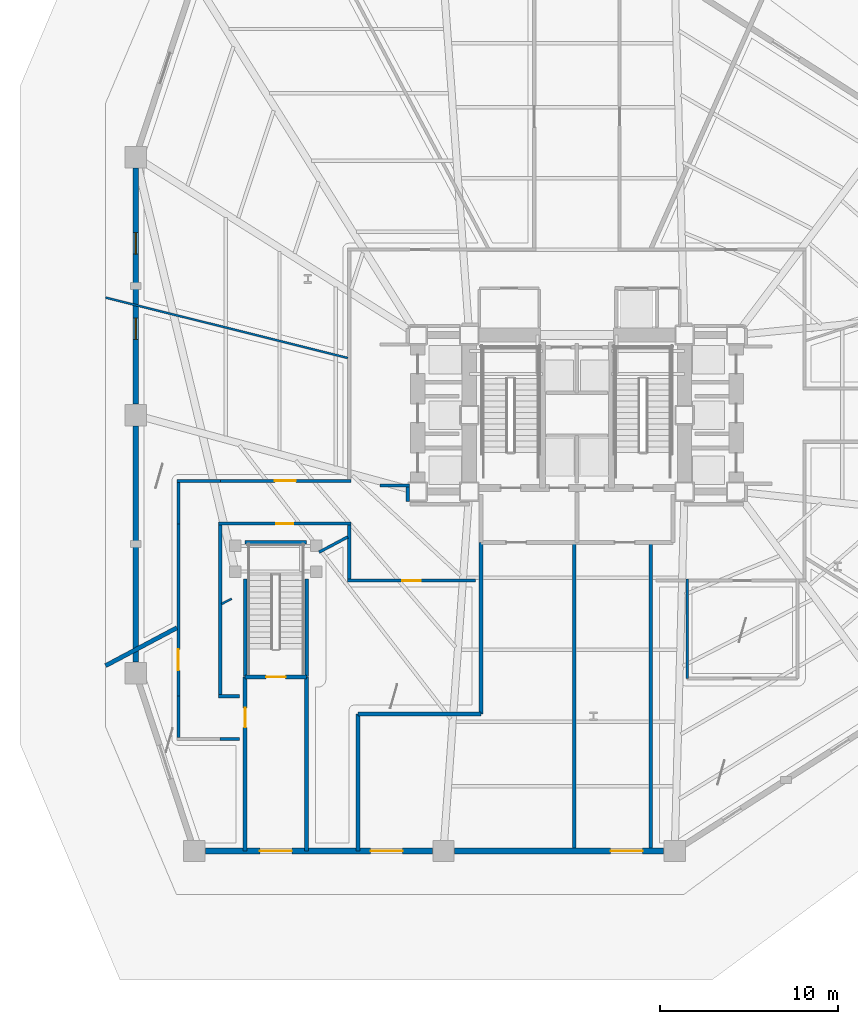
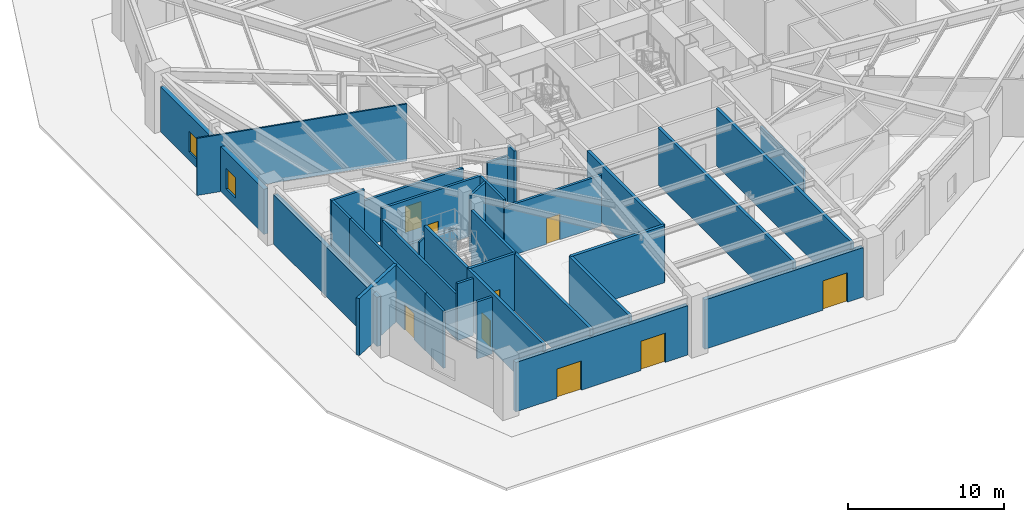
# One storey, part 3 of 10: 33 walls, 9 doors, 2 windows, 11 openings.
"""IFC4 building model written with IfcOpenShell, lengths in metres."""

from ifc_helpers import new_model, si_unit, direction, frame, frame_2d, origin, place, context, subcontext, project, spatial, rectangle, extrude, material, layer, layer_set, type_object, element, fill, save


model = new_model("IFC4")

# Units and contexts
model_context = context("Model", 3, precision=1e-05, world=origin(), true_north=direction((0.0, 1.0)))
body_context = subcontext(model_context, "Body", "Model", "MODEL_VIEW")
ifc_project = project(units=[si_unit("LENGTHUNIT", "METRE"), si_unit("AREAUNIT", "SQUARE_METRE"), si_unit("VOLUMEUNIT", "CUBIC_METRE"), si_unit("PLANEANGLEUNIT", "RADIAN"), si_unit("MASSUNIT", "GRAM", prefix="KILO")], contexts=[model_context])

# Site, building, storey
site_placement = place(None, origin())
site = spatial("IfcSite", under=ifc_project, at=site_placement, CompositionType="ELEMENT")
building_placement = place(site_placement, origin())
building = spatial("IfcBuilding", under=site, at=building_placement, Name="Rocaltana Carrier Exchange", CompositionType="ELEMENT")
storey_placement = place(building_placement, origin())
storey = spatial("IfcBuildingStorey", under=building, at=storey_placement, Name="L01", CompositionType="ELEMENT", Elevation=0.0)

# Walls
ifc_material_1 = material(Name="Double Acoustic Gypsum Partition", Category="gypsum")
ifc_layer_1 = layer(ifc_material_1, 0.159912109375)
ifc_layer_set_1 = layer_set([ifc_layer_1], Name="Double Acoustic Gypsum Partition")
wall_type_1 = type_object("IfcWallType", Name="Acoustic Studio Partition 160 EI60", PredefinedType="PARTITIONING", material=ifc_layer_set_1)
wall_1_placement = place(storey_placement, frame((-12.8798828125, -6.848388671875, 0.0), z_axis=(0.0, 0.0, 1.0), x_axis=(-0.882926709307, -0.469510836928, 0.0)))
element("IfcWall", 1, at=wall_1_placement, inside=storey, type_object=wall_type_1, Name="L01 Suite Divider Wall D1", PredefinedType="PARTITIONING", context=body_context, shape_type="SweptSolid", body=[
    extrude(rectangle(XDim=1.823486328125, YDim=0.159912109375, at=frame_2d((0.91162109375, 0.0))), origin(), (0.0, 0.0, 1.0), 4.472900390625),
])
wall_2_placement = place(storey_placement, frame((6.199951171875, -9.219970703125, 0.0), z_axis=(0.0, 0.0, 1.0), x_axis=(0.0, -1.0, 0.0)))
element("IfcWall", 2, at=wall_2_placement, inside=storey, type_object=wall_type_1, Name="L01 Enclosure Partition 1.1", PredefinedType="PARTITIONING", context=body_context, shape_type="SweptSolid", body=[
    extrude(rectangle(XDim=5.580078125, YDim=0.159912109375, at=frame_2d((2.7900390625, 0.0))), origin(), (0.0, 0.0, 1.0), 3.597900390625),
])

# Wall, opening, door
ifc_material_2 = material(Name="Gypsum & Steel Stud Partition", Category="steel")
ifc_layer_2 = layer(ifc_material_2, 0.179931640625)
ifc_layer_set_2 = layer_set([ifc_layer_2], Name="Gypsum & Steel Stud Partition")
wall_type_2 = type_object("IfcWallType", Name="Corridor Fire Partition 180 EI60", PredefinedType="PARTITIONING", material=ifc_layer_set_2)
wall_3_placement = place(storey_placement, frame((-20.070068359375, -3.699951171875, 0.0), z_axis=(0.0, 0.0, 1.0), x_axis=(1.0, 0.0, 0.0)))
wall_3 = element("IfcWall", 3, at=wall_3_placement, inside=storey, type_object=wall_type_2, Name="L01 Corridor Partition 1", PredefinedType="PARTITIONING", context=body_context, shape_type="SweptSolid", body=[
    extrude(rectangle(XDim=7.360107421875, YDim=0.179931640625, at=frame_2d((3.68017578125, 0.0))), origin(), (0.0, 0.0, 1.0), 3.597900390625),
])
opening_1_placement = place(wall_3_placement, frame((3.090087890625, 0.0, 0.0)))
opening_1 = element("IfcOpeningElement", 4, at=opening_1_placement, cuts=wall_3, Name="Opening D-SU120", PredefinedType="OPENING", context=body_context, shape_type="SweptSolid", body=[
    extrude(rectangle(XDim=1.179931640625, YDim=2.02001953125, at=frame_2d((0.58984375, 1.010009765625))), frame((0.0, 0.099853515625, 0.0), z_axis=(0.0, -1.0, 0.0), x_axis=(1.0, 0.0, 0.0)), (0.0, 0.0, 1.0), 0.199951171875),
])
ifc_material_3 = material(Name="Engineered Hardwood Timber", Category="wood")
door_type_1 = type_object("IfcDoorType", Name="Suite Double Entrance Door 1180x2020", OperationType="NOTDEFINED", PredefinedType="DOOR", material=ifc_material_3)
door_1_placement = place(opening_1_placement, origin())
door_1 = element("IfcDoor", 5, at=door_1_placement, inside=storey, type_object=door_type_1, Name="L01 Carrier Exchange Exhibition Hall Entrance Door", OperationType="SINGLE_SWING_RIGHT", OverallHeight=2.02001953125, OverallWidth=1.179931640625, PredefinedType="DOOR", context=body_context, shape_type="SweptSolid", body=[
    extrude(rectangle(XDim=1.179931640625, YDim=2.02001953125, at=frame_2d((0.58984375, 1.010009765625))), frame((0.0, 0.02490234375, 0.0), z_axis=(0.0, -1.0, 0.0), x_axis=(1.0, 0.0, 0.0)), (0.0, 0.0, 1.0), 0.050048828125),
])
fill(opening_1, door_1)

# Walls
wall_4_placement = place(storey_placement, frame((-11.070068359375, -3.9599609375, 0.0), z_axis=(0.0, 0.0, 1.0), x_axis=(1.0, 0.0, 0.0)))
element("IfcWall", 6, at=wall_4_placement, inside=storey, type_object=wall_type_2, Name="L01 Corridor Partition 27", PredefinedType="PARTITIONING", context=body_context, shape_type="SweptSolid", body=[
    extrude(rectangle(XDim=1.650146484375, YDim=0.179931640625, at=frame_2d((0.8251953125, 0.0))), origin(), (0.0, 0.0, 1.0), 3.597900390625),
])
wall_5_placement = place(storey_placement, frame((-9.510009765625, -4.050048828125, 0.0), z_axis=(0.0, 0.0, 1.0), x_axis=(0.0, -1.0, 0.0)))
element("IfcWall", 7, at=wall_5_placement, inside=storey, type_object=wall_type_2, Name="L01 Corridor Partition 28", PredefinedType="PARTITIONING", context=body_context, shape_type="SweptSolid", body=[
    extrude(rectangle(XDim=0.820068359375, YDim=0.179931640625, at=frame_2d((0.41015625, 0.0))), origin(), (0.0, 0.0, 1.0), 4.472900390625),
])

# Wall, opening, door
wall_6_placement = place(storey_placement, frame((-5.699951171875, -9.300048828125, 0.0), z_axis=(0.0, 0.0, 1.0), x_axis=(-1.0, 0.0, 0.0)))
wall_6 = element("IfcWall", 8, at=wall_6_placement, inside=storey, type_object=wall_type_2, Name="L01 Corridor Partition 31", PredefinedType="PARTITIONING", context=body_context, shape_type="SweptSolid", body=[
    extrude(rectangle(XDim=7.18994140625, YDim=0.179931640625, at=frame_2d((3.594970703125, 0.0))), origin(), (0.0, 0.0, 1.0), 3.987060546875),
])
opening_2_placement = place(wall_6_placement, frame((3.0849609375, 0.0, 0.0)))
opening_2 = element("IfcOpeningElement", 9, at=opening_2_placement, cuts=wall_6, Name="Opening D-LB104", PredefinedType="OPENING", context=body_context, shape_type="SweptSolid", body=[
    extrude(rectangle(XDim=1.02001953125, YDim=2.02001953125, at=frame_2d((0.510009765625, 1.010009765625))), frame((0.0, 0.099853515625, 0.0), z_axis=(0.0, -1.0, 0.0), x_axis=(1.0, 0.0, 0.0)), (0.0, 0.0, 1.0), 0.199951171875),
])
ifc_material_4 = material(Name="Powder-Coated Aluminium 6063-T6", Category="aluminium")
door_type_2 = type_object("IfcDoorType", Name="Laboratory Acoustic Door 1020x2020", OperationType="NOTDEFINED", PredefinedType="DOOR", material=ifc_material_4)
door_2_placement = place(opening_2_placement, origin())
door_2 = element("IfcDoor", 10, at=door_2_placement, inside=storey, type_object=door_type_2, Name="L01 Optical Switching Laboratory Entrance Door", OperationType="SINGLE_SWING_LEFT", OverallHeight=2.02001953125, OverallWidth=1.02001953125, PredefinedType="DOOR", context=body_context, shape_type="SweptSolid", body=[
    extrude(rectangle(XDim=1.02001953125, YDim=2.02001953125, at=frame_2d((0.510009765625, 1.010009765625))), frame((0.0, 0.02490234375, 0.0), z_axis=(0.0, -1.0, 0.0), x_axis=(1.0, 0.0, 0.0)), (0.0, 0.0, 1.0), 0.050048828125),
])
fill(opening_2, door_2)

# Wall
wall_7_placement = place(storey_placement, frame((-12.800048828125, -9.2099609375, 0.0), z_axis=(0.0, 0.0, 1.0), x_axis=(0.0, 1.0, 0.0)))
element("IfcWall", 11, at=wall_7_placement, inside=storey, type_object=wall_type_2, Name="L01 Corridor Partition 32", PredefinedType="PARTITIONING", context=body_context, shape_type="SweptSolid", body=[
    extrude(rectangle(XDim=3.02001953125, YDim=0.179931640625, at=frame_2d((1.510009765625, 0.0))), origin(), (0.0, 0.0, 1.0), 4.472900390625),
])

# Wall, opening, door
wall_8_placement = place(storey_placement, frame((-12.7099609375, -6.10009765625, 0.0), z_axis=(0.0, 0.0, 1.0), x_axis=(-1.0, 0.0, 0.0)))
wall_8 = element("IfcWall", 12, at=wall_8_placement, inside=storey, type_object=wall_type_2, Name="L01 Corridor Partition 33", PredefinedType="PARTITIONING", context=body_context, shape_type="SweptSolid", body=[
    extrude(rectangle(XDim=7.429931640625, YDim=0.179931640625, at=frame_2d((3.71484375, 0.0))), origin(), (0.0, 0.0, 1.0), 4.472900390625),
])
opening_3_placement = place(wall_8_placement, frame((3.235107421875, 0.0, 0.0)))
opening_3 = element("IfcOpeningElement", 13, at=opening_3_placement, cuts=wall_8, Name="Opening D-RM098", PredefinedType="OPENING", context=body_context, shape_type="SweptSolid", body=[
    extrude(rectangle(XDim=0.9599609375, YDim=2.02001953125, at=frame_2d((0.47998046875, 1.010009765625))), frame((0.0, 0.099853515625, 0.0), z_axis=(0.0, -1.0, 0.0), x_axis=(1.0, 0.0, 0.0)), (0.0, 0.0, 1.0), 0.199951171875),
])
ifc_material_5 = material(Name="Engineered Hardwood Timber", Category="wood")
door_type_3 = type_object("IfcDoorType", Name="Workspace Single Door 960x2020", OperationType="NOTDEFINED", PredefinedType="DOOR", material=ifc_material_5)
door_3_placement = place(opening_3_placement, origin())
door_3 = element("IfcDoor", 14, at=door_3_placement, inside=storey, type_object=door_type_3, Name="L01 Client Reception Foyer Entrance Door", OperationType="SINGLE_SWING_LEFT", OverallHeight=2.02001953125, OverallWidth=0.9599609375, PredefinedType="DOOR", context=body_context, shape_type="SweptSolid", body=[
    extrude(rectangle(XDim=0.9599609375, YDim=2.02001953125, at=frame_2d((0.47998046875, 1.010009765625))), frame((0.0, 0.02490234375, 0.0), z_axis=(0.0, -1.0, 0.0), x_axis=(1.0, 0.0, 0.0)), (0.0, 0.0, 1.0), 0.050048828125),
])
fill(opening_3, door_3)

# Walls
wall_9_placement = place(storey_placement, frame((-20.050048828125, -6.18994140625, 0.0), z_axis=(0.0, 0.0, 1.0), x_axis=(0.0, -1.0, 0.0)))
element("IfcWall", 15, at=wall_9_placement, inside=storey, type_object=wall_type_2, Name="L01 Corridor Partition 34", PredefinedType="PARTITIONING", context=body_context, shape_type="SweptSolid", body=[
    extrude(rectangle(XDim=9.52001953125, YDim=0.179931640625, at=frame_2d((4.760009765625, 0.0))), origin(), (0.0, 0.0, 1.0), 3.52587890625),
])
wall_10_placement = place(storey_placement, frame((-20.139892578125, -15.800048828125, 0.0), z_axis=(0.0, 0.0, 1.0), x_axis=(1.0, 0.0, 0.0)))
element("IfcWall", 16, at=wall_10_placement, inside=storey, type_object=wall_type_2, Name="L01 Corridor Partition 35", PredefinedType="PARTITIONING", context=body_context, shape_type="SweptSolid", body=[
    extrude(rectangle(XDim=1.18994140625, YDim=0.179931640625, at=frame_2d((0.594970703125, 0.0))), origin(), (0.0, 0.0, 1.0), 4.472900390625),
])
wall_11_placement = place(storey_placement, frame((-18.949951171875, -18.199951171875, 0.0), z_axis=(0.0, 0.0, 1.0), x_axis=(-1.0, 0.0, 0.0)))
element("IfcWall", 17, at=wall_11_placement, inside=storey, type_object=wall_type_2, Name="L01 Corridor Partition 36", PredefinedType="PARTITIONING", context=body_context, shape_type="SweptSolid", body=[
    extrude(rectangle(XDim=1.1201171875, YDim=0.179931640625, at=frame_2d((0.56005859375, 0.0))), origin(), (0.0, 0.0, 1.0), 4.472900390625),
])
wall_12_placement = place(storey_placement, frame((-22.39990234375, -18.110107421875, 0.0), z_axis=(0.0, 0.0, 1.0), x_axis=(0.0, 1.0, 0.0)))
element("IfcWall", 18, at=wall_12_placement, inside=storey, type_object=wall_type_2, Name="L01 Corridor Partition 38", PredefinedType="PARTITIONING", context=body_context, shape_type="SweptSolid", body=[
    extrude(rectangle(XDim=2.330078125, YDim=0.179931640625, at=frame_2d((1.1650390625, 0.0))), origin(), (0.0, 0.0, 1.0), 4.472900390625),
])

# Wall, opening, door
wall_13_placement = place(storey_placement, frame((-22.39990234375, -15.820068359375, 0.0), z_axis=(0.0, 0.0, 1.0), x_axis=(0.0, 1.0, 0.0)))
wall_13 = element("IfcWall", 19, at=wall_13_placement, inside=storey, type_object=wall_type_2, Name="L01 Corridor Partition 39", PredefinedType="PARTITIONING", context=body_context, shape_type="SweptSolid", body=[
    extrude(rectangle(XDim=9.739990234375, YDim=0.179931640625, at=frame_2d((4.8701171875, 0.0))), origin(), (0.0, 0.0, 1.0), 4.472900390625),
])
opening_4_placement = place(wall_13_placement, frame((1.468505859375, 0.0, 0.0)))
opening_4 = element("IfcOpeningElement", 20, at=opening_4_placement, cuts=wall_13, Name="Opening D-SU120", PredefinedType="OPENING", context=body_context, shape_type="SweptSolid", body=[
    extrude(rectangle(XDim=1.179931640625, YDim=2.02001953125, at=frame_2d((0.58984375, 1.010009765625))), frame((0.0, 0.099853515625, 0.0), z_axis=(0.0, -1.0, 0.0), x_axis=(1.0, 0.0, 0.0)), (0.0, 0.0, 1.0), 0.199951171875),
])
door_4_placement = place(opening_4_placement, origin())
door_4 = element("IfcDoor", 21, at=door_4_placement, inside=storey, type_object=door_type_1, Name="L01 Data Exchange Hall Entrance Door", OperationType="SINGLE_SWING_RIGHT", OverallHeight=2.02001953125, OverallWidth=1.179931640625, PredefinedType="DOOR", context=body_context, shape_type="SweptSolid", body=[
    extrude(rectangle(XDim=1.179931640625, YDim=2.02001953125, at=frame_2d((0.58984375, 1.010009765625))), frame((0.0, 0.02490234375, 0.0), z_axis=(0.0, -1.0, 0.0), x_axis=(1.0, 0.0, 0.0)), (0.0, 0.0, 1.0), 0.050048828125),
])
fill(opening_4, door_4)

# Walls
wall_14_placement = place(storey_placement, frame((-22.39990234375, -6.1201171875, 0.0), z_axis=(0.0, 0.0, 1.0), x_axis=(0.0, 1.0, 0.0)))
element("IfcWall", 22, at=wall_14_placement, inside=storey, type_object=wall_type_2, Name="L01 Corridor Partition 40", PredefinedType="PARTITIONING", context=body_context, shape_type="SweptSolid", body=[
    extrude(rectangle(XDim=2.330078125, YDim=0.179931640625, at=frame_2d((1.1650390625, 0.0))), origin(), (0.0, 0.0, 1.0), 4.472900390625),
])
wall_15_placement = place(storey_placement, frame((-22.489990234375, -3.699951171875, 0.0), z_axis=(0.0, 0.0, 1.0), x_axis=(1.0, 0.0, 0.0)))
element("IfcWall", 23, at=wall_15_placement, inside=storey, type_object=wall_type_2, Name="L01 Corridor Partition 41", PredefinedType="PARTITIONING", context=body_context, shape_type="SweptSolid", body=[
    extrude(rectangle(XDim=2.4599609375, YDim=0.179931640625, at=frame_2d((1.22998046875, 0.0))), origin(), (0.0, 0.0, 1.0), 4.472900390625),
])
ifc_material_6 = material(Name="Aluminium 6063-T6 & Acoustic Glass", Category="aluminium")
ifc_layer_3 = layer(ifc_material_6, 0.114990234375)
ifc_layer_set_3 = layer_set([ifc_layer_3], Name="Aluminium 6063-T6 & Acoustic Glass")
wall_type_3 = type_object("IfcWallType", Name="Demountable Glazed Lab Partition 115", PredefinedType="MOVABLE", material=ifc_layer_set_3)
wall_16_placement = place(storey_placement, frame((-19.409912109375, -10.320556640625, 0.0), z_axis=(0.0, 0.0, 1.0), x_axis=(-0.883065873803, -0.469249041049, 0.0)))
element("IfcWall", 24, at=wall_16_placement, inside=storey, type_object=wall_type_3, Name="L01 Suite Divider Wall D2", PredefinedType="MOVABLE", context=body_context, shape_type="SweptSolid", body=[
    extrude(rectangle(XDim=0.63427734375, YDim=0.114990234375, at=frame_2d((0.317138671875, 0.0))), origin(), (0.0, 0.0, 1.0), 4.472900390625),
])
wall_17_placement = place(storey_placement, frame((-12.8798828125, 3.211181640625, 0.0), z_axis=(0.0, 0.0, 1.0), x_axis=(-0.97029281794, 0.241933560001, 0.0)))
element("IfcWall", 25, at=wall_17_placement, inside=storey, type_object=wall_type_3, Name="L01 Suite Divider Wall D8", PredefinedType="MOVABLE", context=body_context, shape_type="SweptSolid", body=[
    extrude(rectangle(XDim=14.02685546875, YDim=0.114990234375, at=frame_2d((7.013427734375, 0.0))), origin(), (0.0, 0.0, 1.0), 4.472900390625),
])
ifc_material_7 = material(Name="Autoclaved Aerated Concrete C30/37", Category="concrete")
ifc_layer_4 = layer(ifc_material_7, 0.219970703125)
ifc_layer_set_4 = layer_set([ifc_layer_4], Name="Autoclaved Aerated Concrete C30/37")
wall_type_4 = type_object("IfcWallType", Name="Firefighting Lobby Wall 220 EI120", PredefinedType="PARTITIONING", material=ifc_layer_set_4)
wall_18_placement = place(storey_placement, frame((-5.39990234375, -16.800048828125, 0.0), z_axis=(0.0, 0.0, 1.0), x_axis=(0.0, 1.0, 0.0)))
element("IfcWall", 26, at=wall_18_placement, inside=storey, type_object=wall_type_4, Name="L01 Protected Exit Passageway West Wall 1", PredefinedType="PARTITIONING", context=body_context, shape_type="SweptSolid", body=[
    extrude(rectangle(XDim=9.64013671875, YDim=0.219970703125, at=frame_2d((4.820068359375, 0.0))), origin(), (0.0, 0.0, 1.0), 4.472900390625),
])
wall_19_placement = place(storey_placement, frame((-12.300048828125, -16.800048828125, 0.0), z_axis=(0.0, 0.0, 1.0), x_axis=(1.0, 0.0, 0.0)))
element("IfcWall", 27, at=wall_19_placement, inside=storey, type_object=wall_type_4, Name="L01 Protected Exit Passageway North Turn Wall", PredefinedType="PARTITIONING", context=body_context, shape_type="SweptSolid", body=[
    extrude(rectangle(XDim=6.900146484375, YDim=0.219970703125, at=frame_2d((3.4501953125, 0.0))), origin(), (0.0, 0.0, 1.0), 4.472900390625),
])
wall_20_placement = place(storey_placement, frame((-12.300048828125, -24.5, 0.0), z_axis=(0.0, 0.0, 1.0), x_axis=(0.0, 1.0, 0.0)))
element("IfcWall", 28, at=wall_20_placement, inside=storey, type_object=wall_type_4, Name="L01 Protected Exit Passageway West Portal Wall", PredefinedType="PARTITIONING", context=body_context, shape_type="SweptSolid", body=[
    extrude(rectangle(XDim=7.699951171875, YDim=0.219970703125, at=frame_2d((3.85009765625, 0.0))), origin(), (0.0, 0.0, 1.0), 4.472900390625),
])
for number, where, z_axis, x_axis, name in (
    (29, (-0.14990234375, -24.5, 0.0), (0.0, 0.0, 1.0), (0.0, 1.0, 0.0), "L01 Protected Exit Passageway Central Dividing Wall"),
    (30, (4.14990234375, -24.5, 0.0), (0.0, 0.0, 1.0), (0.0, 1.0, 0.0), "L01 Protected Exit Passageway East Outer Wall"),
):
    element("IfcWall", number, at=place(storey_placement, frame(where, z_axis=z_axis, x_axis=x_axis)), inside=storey, type_object=wall_type_4, Name=name, PredefinedType="PARTITIONING", context=body_context, shape_type="SweptSolid", body=[
        extrude(rectangle(XDim=17.340087890625, YDim=0.219970703125, at=frame_2d((8.669921875, 0.0))), origin(), (0.0, 0.0, 1.0), 4.472900390625),
    ])

# Wall, opening, door
wall_21_placement = place(storey_placement, frame((-18.64990234375, -24.5, 0.0), z_axis=(0.0, 0.0, 1.0), x_axis=(0.0, 1.0, 0.0)))
wall_21 = element("IfcWall", 31, at=wall_21_placement, inside=storey, type_object=wall_type_4, Name="L01 Protected Exit Passageway Podium West Wall", PredefinedType="PARTITIONING", context=body_context, shape_type="SweptSolid", body=[
    extrude(rectangle(XDim=9.780029296875, YDim=0.219970703125, at=frame_2d((4.89013671875, 0.0))), origin(), (0.0, 0.0, 1.0), 4.472900390625),
])
opening_5_placement = place(wall_21_placement, frame((6.949951171875, 0.0, 0.0)))
opening_5 = element("IfcOpeningElement", 32, at=opening_5_placement, cuts=wall_21, Name="Opening D-ST110", PredefinedType="OPENING", context=body_context, shape_type="SweptSolid", body=[
    extrude(rectangle(XDim=1.10009765625, YDim=2.0400390625, at=frame_2d((0.550048828125, 1.02001953125))), frame((0.0, 0.119873046875, 0.0), z_axis=(0.0, -1.0, 0.0), x_axis=(1.0, 0.0, 0.0)), (0.0, 0.0, 1.0), 0.239990234375),
])
ifc_material_8 = material(Name="Hollow Metal Fire Door Assembly", Category="steel")
door_type_4 = type_object("IfcDoorType", Name="Exit Stair Fire Door 1100x2040 FD90S", OperationType="NOTDEFINED", PredefinedType="DOOR", material=ifc_material_8)
door_5_placement = place(opening_5_placement, origin())
door_5 = element("IfcDoor", 33, at=door_5_placement, inside=storey, type_object=door_type_4, Name="L01 Concourse Exit Passageway Fire Door", OperationType="SINGLE_SWING_RIGHT", OverallHeight=2.0400390625, OverallWidth=1.10009765625, PredefinedType="DOOR", context=body_context, shape_type="SweptSolid", body=[
    extrude(rectangle(XDim=1.10009765625, YDim=2.0400390625, at=frame_2d((0.550048828125, 1.02001953125))), frame((0.0, 0.02490234375, 0.0), z_axis=(0.0, -1.0, 0.0), x_axis=(1.0, 0.0, 0.0)), (0.0, 0.0, 1.0), 0.050048828125),
])
fill(opening_5, door_5)

# Walls
wall_22_placement = place(storey_placement, frame((-15.18994140625, -24.5, 0.0), z_axis=(0.0, 0.0, 1.0), x_axis=(0.0, 1.0, 0.0)))
element("IfcWall", 34, at=wall_22_placement, inside=storey, type_object=wall_type_4, Name="L01 Protected Exit Passageway Podium East Wall", PredefinedType="PARTITIONING", context=body_context, shape_type="SweptSolid", body=[
    extrude(rectangle(XDim=9.780029296875, YDim=0.219970703125, at=frame_2d((4.89013671875, 0.0))), origin(), (0.0, 0.0, 1.0), 4.472900390625),
])
ifc_material_9 = material(Name="Acoustic Calcium Silicate Partition", Category="gypsum")
ifc_layer_5 = layer(ifc_material_9, 0.239990234375)
ifc_layer_set_5 = layer_set([ifc_layer_5], Name="Acoustic Calcium Silicate Partition")
wall_type_5 = type_object("IfcWallType", Name="Heavy Lab Partition 240 EI90", PredefinedType="PARTITIONING", material=ifc_layer_set_5)
wall_23_placement = place(storey_placement, frame((-22.47998046875, -11.952880859375, 0.0), z_axis=(0.0, 0.0, 1.0), x_axis=(-0.882954888604, -0.469457841228, 0.0)))
element("IfcWall", 35, at=wall_23_placement, inside=storey, type_object=wall_type_5, Name="L01 Suite Divider Wall D3", PredefinedType="PARTITIONING", context=body_context, shape_type="SweptSolid", body=[
    extrude(rectangle(XDim=4.54150390625, YDim=0.239990234375, at=frame_2d((2.270751953125, 0.0))), origin(), (0.0, 0.0, 1.0), 4.472900390625),
])
ifc_material_10 = material(Name="Reinforced Concrete Block C35/45", Category="concrete")
ifc_layer_6 = layer(ifc_material_10, 0.199951171875)
ifc_layer_set_6 = layer_set([ifc_layer_6], Name="Reinforced Concrete Block C35/45")
wall_type_6 = type_object("IfcWallType", Name="Lift Hoistway Enclosure Wall 200 EI120", PredefinedType="PARTITIONING", material=ifc_layer_set_6)
for number, where, z_axis, x_axis, name in (
    (36, (-18.64990234375, -14.699951171875, 0.0), (0.0, 0.0, 1.0), (0.0, 1.0, 0.0), "L01 Podium Stair ST-3 West Wall"),
    (37, (-15.18994140625, -14.699951171875, 0.0), (0.0, 0.0, 1.0), (0.0, 1.0, 0.0), "L01 Podium Stair ST-3 East Wall"),
):
    element("IfcWall", number, at=place(storey_placement, frame(where, z_axis=z_axis, x_axis=x_axis)), inside=storey, type_object=wall_type_6, Name=name, PredefinedType="PARTITIONING", context=body_context, shape_type="SweptSolid", body=[
        extrude(rectangle(XDim=5.5, YDim=0.199951171875, at=frame_2d((2.75, 0.0))), origin(), (0.0, 0.0, 1.0), 4.472900390625),
    ])
wall_24_placement = place(storey_placement, frame((-18.64990234375, -7.14990234375, 0.0), z_axis=(0.0, 0.0, 1.0), x_axis=(1.0, 0.0, 0.0)))
element("IfcWall", 38, at=wall_24_placement, inside=storey, type_object=wall_type_6, Name="L01 Podium Stair ST-3 North Wall", PredefinedType="PARTITIONING", context=body_context, shape_type="SweptSolid", body=[
    extrude(rectangle(XDim=3.4599609375, YDim=0.199951171875, at=frame_2d((1.72998046875, 0.0))), origin(), (0.0, 0.0, 1.0), 1.797119140625),
])

# Wall, opening, door
wall_25_placement = place(storey_placement, frame((-18.64990234375, -14.719970703125, 0.0), z_axis=(0.0, 0.0, 1.0), x_axis=(1.0, 0.0, 0.0)))
wall_25 = element("IfcWall", 39, at=wall_25_placement, inside=storey, type_object=wall_type_6, Name="L01 Podium Stair ST-3 South Landing Wall", PredefinedType="PARTITIONING", context=body_context, shape_type="SweptSolid", body=[
    extrude(rectangle(XDim=3.4599609375, YDim=0.199951171875, at=frame_2d((1.72998046875, 0.0))), origin(), (0.0, 0.0, 1.0), 4.472900390625),
])
opening_6_placement = place(wall_25_placement, frame((1.179931640625, 0.0, 0.0)))
opening_6 = element("IfcOpeningElement", 40, at=opening_6_placement, cuts=wall_25, Name="Opening D-ST110", PredefinedType="OPENING", context=body_context, shape_type="SweptSolid", body=[
    extrude(rectangle(XDim=1.10009765625, YDim=2.0400390625, at=frame_2d((0.550048828125, 1.02001953125))), frame((0.0, 0.10986328125, 0.0), z_axis=(0.0, -1.0, 0.0), x_axis=(1.0, 0.0, 0.0)), (0.0, 0.0, 1.0), 0.219970703125),
])
door_6_placement = place(opening_6_placement, origin())
door_6 = element("IfcDoor", 41, at=door_6_placement, inside=storey, type_object=door_type_4, Name="L01 Podium Stair ST-3 Fire Door", OperationType="SINGLE_SWING_RIGHT", OverallHeight=2.0400390625, OverallWidth=1.10009765625, PredefinedType="DOOR", context=body_context, shape_type="SweptSolid", body=[
    extrude(rectangle(XDim=1.10009765625, YDim=2.0400390625, at=frame_2d((0.550048828125, 1.02001953125))), frame((0.0, 0.02490234375, 0.0), z_axis=(0.0, -1.0, 0.0), x_axis=(1.0, 0.0, 0.0)), (0.0, 0.0, 1.0), 0.050048828125),
])
fill(opening_6, door_6)

# Wall, openings, doors
ifc_material_11 = material(Name="Precast sandstone concrete C45/55", Category="masonry")
ifc_layer_7 = layer(ifc_material_11, 0.320068359375)
ifc_layer_set_7 = layer_set([ifc_layer_7], Name="Precast sandstone concrete C45/55")
wall_type_7 = type_object("IfcWallType", Name="Precast Sandstone Facade Wall 320", PredefinedType="SOLIDWALL", material=ifc_layer_set_7)
wall_26_placement = place(storey_placement, frame((-8.1201171875, -24.5, 0.0), z_axis=(0.0, 0.0, 1.0), x_axis=(-1.0, 0.0, 0.0)))
wall_26 = element("IfcWall", 42, at=wall_26_placement, inside=storey, type_object=wall_type_7, Name="L01 Sandstone Facade Wall B01", PredefinedType="SOLIDWALL", context=body_context, shape_type="SweptSolid", body=[
    extrude(rectangle(XDim=12.759765625, YDim=0.320068359375, at=frame_2d((6.3798828125, 0.0))), origin(), (0.0, 0.0, 1.0), 3.867919921875),
])
opening_7_placement = place(wall_26_placement, frame((1.679931640625, 0.0, 0.0)))
opening_7 = element("IfcOpeningElement", 43, at=opening_7_placement, cuts=wall_26, Name="Opening E-01", PredefinedType="OPENING", context=body_context, shape_type="SweptSolid", body=[
    extrude(rectangle(XDim=1.800048828125, YDim=2.300048828125, at=frame_2d((0.89990234375, 1.14990234375))), frame((0.0, 0.169921875, 0.0), z_axis=(0.0, -1.0, 0.0), x_axis=(1.0, 0.0, 0.0)), (0.0, 0.0, 1.0), 0.340087890625),
])
opening_8_placement = place(wall_26_placement, frame((7.89990234375, 0.0, 0.0)))
opening_8 = element("IfcOpeningElement", 44, at=opening_8_placement, cuts=wall_26, Name="Opening E-07", PredefinedType="OPENING", context=body_context, shape_type="SweptSolid", body=[
    extrude(rectangle(XDim=1.800048828125, YDim=2.300048828125, at=frame_2d((0.89990234375, 1.14990234375))), frame((0.0, 0.169921875, 0.0), z_axis=(0.0, -1.0, 0.0), x_axis=(1.0, 0.0, 0.0)), (0.0, 0.0, 1.0), 0.340087890625),
])
ifc_material_12 = material(Name="Anodised Aluminium 6063-T6", Category="aluminium")
door_type_5 = type_object("IfcDoorType", Name="Concourse Final Exit Double Door 1800x2300", OperationType="NOTDEFINED", PredefinedType="DOOR", material=ifc_material_12)
door_7_placement = place(opening_7_placement, origin())
door_7 = element("IfcDoor", 45, at=door_7_placement, inside=storey, type_object=door_type_5, Name="Street Concourse Final Exit Door E-01", OperationType="SINGLE_SWING_LEFT", OverallHeight=2.300048828125, OverallWidth=1.800048828125, PredefinedType="DOOR", context=body_context, shape_type="SweptSolid", body=[
    extrude(rectangle(XDim=1.800048828125, YDim=2.300048828125, at=frame_2d((0.89990234375, 1.14990234375))), frame((0.0, 0.02490234375, 0.0), z_axis=(0.0, -1.0, 0.0), x_axis=(1.0, 0.0, 0.0)), (0.0, 0.0, 1.0), 0.050048828125),
])
fill(opening_7, door_7)
door_8_placement = place(opening_8_placement, origin())
door_8 = element("IfcDoor", 46, at=door_8_placement, inside=storey, type_object=door_type_5, Name="Street Concourse Final Exit Door E-07", OperationType="SINGLE_SWING_LEFT", OverallHeight=2.300048828125, OverallWidth=1.800048828125, PredefinedType="DOOR", context=body_context, shape_type="SweptSolid", body=[
    extrude(rectangle(XDim=1.800048828125, YDim=2.300048828125, at=frame_2d((0.89990234375, 1.14990234375))), frame((0.0, 0.02490234375, 0.0), z_axis=(0.0, -1.0, 0.0), x_axis=(1.0, 0.0, 0.0)), (0.0, 0.0, 1.0), 0.050048828125),
])
fill(opening_8, door_8)

# Wall, opening, door
wall_27_placement = place(storey_placement, frame((4.8798828125, -24.5, 0.0), z_axis=(0.0, 0.0, 1.0), x_axis=(-1.0, 0.0, 0.0)))
wall_27 = element("IfcWall", 47, at=wall_27_placement, inside=storey, type_object=wall_type_7, Name="L01 Sandstone Facade Wall B02", PredefinedType="SOLIDWALL", context=body_context, shape_type="SweptSolid", body=[
    extrude(rectangle(XDim=11.759765625, YDim=0.320068359375, at=frame_2d((5.8798828125, 0.0))), origin(), (0.0, 0.0, 1.0), 3.867919921875),
])
opening_9_placement = place(wall_27_placement, frame((1.179931640625, 0.0, 0.0)))
opening_9 = element("IfcOpeningElement", 48, at=opening_9_placement, cuts=wall_27, Name="Opening E-02", PredefinedType="OPENING", context=body_context, shape_type="SweptSolid", body=[
    extrude(rectangle(XDim=1.800048828125, YDim=2.300048828125, at=frame_2d((0.89990234375, 1.14990234375))), frame((0.0, 0.169921875, 0.0), z_axis=(0.0, -1.0, 0.0), x_axis=(1.0, 0.0, 0.0)), (0.0, 0.0, 1.0), 0.340087890625),
])
door_9_placement = place(opening_9_placement, origin())
door_9 = element("IfcDoor", 49, at=door_9_placement, inside=storey, type_object=door_type_5, Name="Street Concourse Final Exit Door E-02", OperationType="SINGLE_SWING_RIGHT", OverallHeight=2.300048828125, OverallWidth=1.800048828125, PredefinedType="DOOR", context=body_context, shape_type="SweptSolid", body=[
    extrude(rectangle(XDim=1.800048828125, YDim=2.300048828125, at=frame_2d((0.89990234375, 1.14990234375))), frame((0.0, 0.02490234375, 0.0), z_axis=(0.0, -1.0, 0.0), x_axis=(1.0, 0.0, 0.0)), (0.0, 0.0, 1.0), 0.050048828125),
])
fill(opening_9, door_9)

# Wall, openings, windows
wall_28_placement = place(storey_placement, frame((-24.800048828125, 0.6201171875, 0.0), z_axis=(0.0, 0.0, 1.0), x_axis=(0.0, 1.0, 0.0)))
wall_28 = element("IfcWall", 50, at=wall_28_placement, inside=storey, type_object=wall_type_7, Name="L01 Sandstone Facade Wall B11", PredefinedType="SOLIDWALL", context=body_context, shape_type="SweptSolid", body=[
    extrude(rectangle(XDim=13.259765625, YDim=0.320068359375, at=frame_2d((6.6298828125, 0.0))), origin(), (0.0, 0.0, 1.0), 3.541015625),
])
opening_10_placement = place(wall_28_placement, frame((3.6298828125, 0.0, 0.64990234375)))
opening_10 = element("IfcOpeningElement", 51, at=opening_10_placement, cuts=wall_28, Name="Opening W-03", PredefinedType="OPENING", context=body_context, shape_type="SweptSolid", body=[
    extrude(rectangle(XDim=1.199951171875, YDim=1.60009765625, at=frame_2d((0.60009765625, 0.800048828125))), frame((0.0, 0.169921875, 0.0), z_axis=(0.0, -1.0, 0.0), x_axis=(1.0, 0.0, 0.0)), (0.0, 0.0, 1.0), 0.340087890625),
])
opening_11_placement = place(wall_28_placement, frame((8.429931640625, 0.0, 0.64990234375)))
opening_11 = element("IfcOpeningElement", 52, at=opening_11_placement, cuts=wall_28, Name="Opening W-03", PredefinedType="OPENING", context=body_context, shape_type="SweptSolid", body=[
    extrude(rectangle(XDim=1.199951171875, YDim=1.60009765625, at=frame_2d((0.60009765625, 0.800048828125))), frame((0.0, 0.169921875, 0.0), z_axis=(0.0, -1.0, 0.0), x_axis=(1.0, 0.0, 0.0)), (0.0, 0.0, 1.0), 0.340087890625),
])
ifc_material_13 = material(Name="Aluminium 6063-T6 & Double Glazing", Category="aluminium")
window_type = type_object("IfcWindowType", Name="Podium Narrow Slot Window 1200x1600", PartitioningType="SINGLE_PANEL", PredefinedType="WINDOW", material=ifc_material_13)
window_1_placement = place(opening_10_placement, origin())
window_1 = element("IfcWindow", 53, at=window_1_placement, inside=storey, type_object=window_type, Name="L01 Punched Window B11-1", OverallHeight=1.60009765625, OverallWidth=1.199951171875, PartitioningType="SINGLE_PANEL", PredefinedType="WINDOW", context=body_context, shape_type="SweptSolid", body=[
    extrude(rectangle(XDim=1.199951171875, YDim=1.60009765625, at=frame_2d((0.60009765625, 0.800048828125))), frame((0.0, 0.030029296875, 0.0), z_axis=(0.0, -1.0, 0.0), x_axis=(1.0, 0.0, 0.0)), (0.0, 0.0, 1.0), 0.06005859375),
])
fill(opening_10, window_1)
window_2_placement = place(opening_11_placement, origin())
window_2 = element("IfcWindow", 54, at=window_2_placement, inside=storey, type_object=window_type, Name="L01 Punched Window B11-3", OverallHeight=1.60009765625, OverallWidth=1.199951171875, PartitioningType="SINGLE_PANEL", PredefinedType="WINDOW", context=body_context, shape_type="SweptSolid", body=[
    extrude(rectangle(XDim=1.199951171875, YDim=1.60009765625, at=frame_2d((0.60009765625, 0.800048828125))), frame((0.0, 0.030029296875, 0.0), z_axis=(0.0, -1.0, 0.0), x_axis=(1.0, 0.0, 0.0)), (0.0, 0.0, 1.0), 0.06005859375),
])
fill(opening_11, window_2)

# Wall
wall_29_placement = place(storey_placement, frame((-24.800048828125, -13.8798828125, 0.0), z_axis=(0.0, 0.0, 1.0), x_axis=(0.0, 1.0, 0.0)))
element("IfcWall", 55, at=wall_29_placement, inside=storey, type_object=wall_type_7, Name="L01 Sandstone Facade Wall B12", PredefinedType="SOLIDWALL", context=body_context, shape_type="SweptSolid", body=[
    extrude(rectangle(XDim=13.259765625, YDim=0.320068359375, at=frame_2d((6.6298828125, 0.0))), origin(), (0.0, 0.0, 1.0), 3.867919921875),
])

save(model, "model.ifc")
